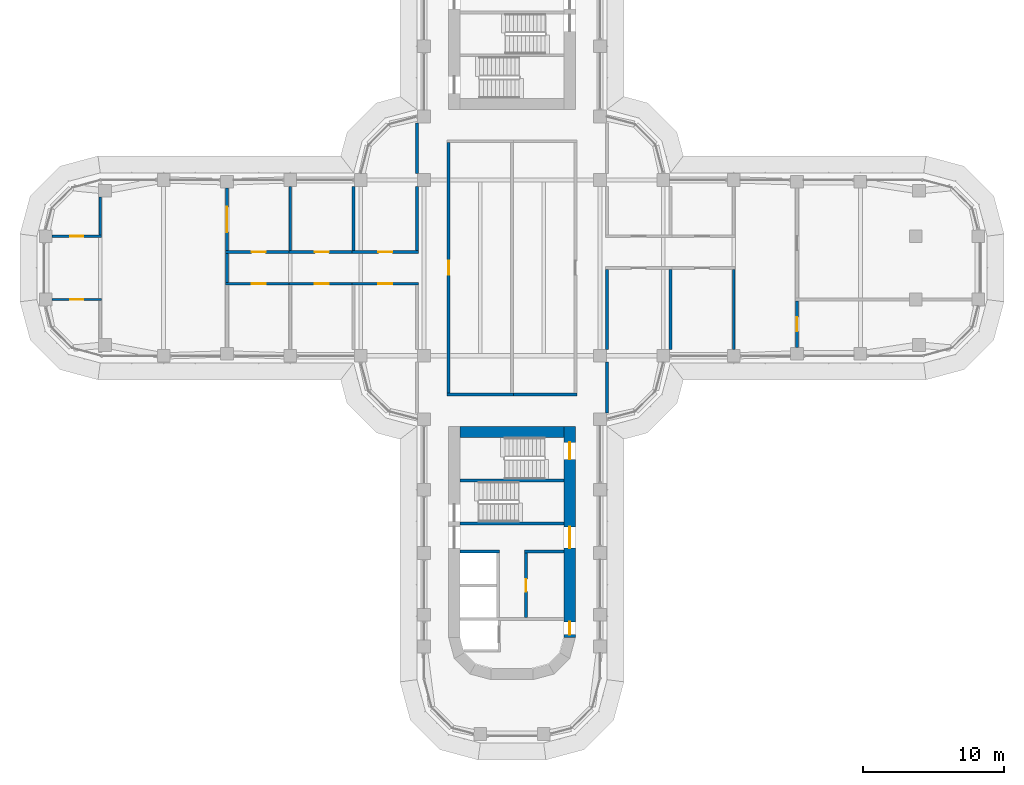
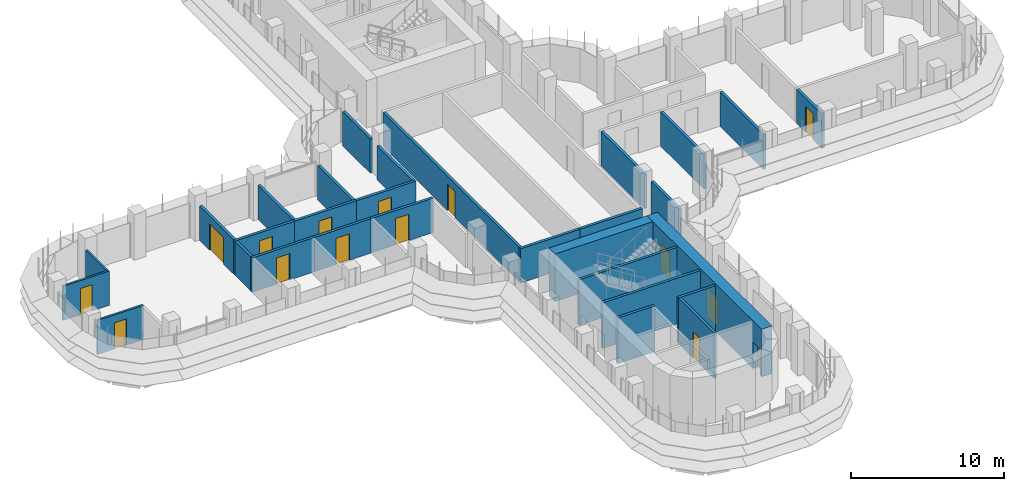
# One storey, part 17 of 23: 30 walls, 15 doors, 15 openings.
"""IFC4 building model written with IfcOpenShell, lengths in metres."""

from ifc_helpers import new_model, si_unit, direction, frame, frame_2d, origin, place, context, subcontext, project, spatial, rectangle, extrude, material, layer, layer_set, type_object, element, fill, save


model = new_model("IFC4")

# Units and contexts
model_context = context("Model", 3, precision=1e-05, world=origin(), true_north=direction((0.0, 1.0)))
body_context = subcontext(model_context, "Body", "Model", "MODEL_VIEW")
ifc_project = project(units=[si_unit("LENGTHUNIT", "METRE"), si_unit("AREAUNIT", "SQUARE_METRE"), si_unit("VOLUMEUNIT", "CUBIC_METRE"), si_unit("PLANEANGLEUNIT", "RADIAN"), si_unit("MASSUNIT", "GRAM", prefix="KILO")], contexts=[model_context])

# Site, building, storey
site_placement = place(None, origin())
site = spatial("IfcSite", under=ifc_project, at=site_placement, CompositionType="ELEMENT")
building_placement = place(site_placement, origin())
building = spatial("IfcBuilding", under=site, at=building_placement, Name="Zarbagh Exchange Tower", CompositionType="ELEMENT")
storey_placement = place(building_placement, frame((0.0, 0.0, 86.60009765625)))
storey = spatial("IfcBuildingStorey", under=building, at=storey_placement, Name="L19", CompositionType="ELEMENT", Elevation=86.60009765625)

# Wall, opening, door
ifc_material_1 = material(Name="Plasterboard partition")
ifc_layer_1 = layer(ifc_material_1, 0.14990234375)
ifc_layer_set_1 = layer_set([ifc_layer_1], Name="PARTITION 150")
wall_type_1 = type_object("IfcWallType", Name="PARTITION 150", PredefinedType="PARTITIONING", material=ifc_layer_set_1)
wall_1_placement = place(storey_placement, frame((-32.659912109375, 2.25, 0.0), z_axis=(0.0, 0.0, 1.0), x_axis=(1.0, 0.0, 0.0)))
wall_1 = element("IfcWall", 1, at=wall_1_placement, inside=storey, type_object=wall_type_1, Name="Partition W-641", PredefinedType="PARTITIONING", context=body_context, shape_type="SweptSolid", body=[
    extrude(rectangle(XDim=3.48486328125, YDim=0.14990234375, at=frame_2d((1.742431640625, 0.0))), origin(), (0.0, 0.0, 1.0), 2.738037109375),
])
opening_1_placement = place(wall_1_placement, frame((1.29248046875, 0.0, 0.0)))
opening_1 = element("IfcOpeningElement", 2, at=opening_1_placement, cuts=wall_1, Name="Opening D-609", PredefinedType="OPENING", context=body_context, shape_type="SweptSolid", body=[
    extrude(rectangle(XDim=0.89990234375, YDim=2.10009765625, at=frame_2d((0.449951171875, 1.050048828125))), frame((0.0, 0.0849609375, 0.0), z_axis=(0.0, -1.0, 0.0), x_axis=(1.0, 0.0, 0.0)), (0.0, 0.0, 1.0), 0.169921875),
])
ifc_material_2 = material(Name="Timber door leaf", Category="wood")
door_type_1 = type_object("IfcDoorType", Name="DOOR 900 X 2100", OperationType="NOTDEFINED", PredefinedType="DOOR", material=ifc_material_2)
door_1_placement = place(opening_1_placement, origin())
door_1 = element("IfcDoor", 3, at=door_1_placement, inside=storey, type_object=door_type_1, Name="Door D-609", OperationType="SINGLE_SWING_RIGHT", OverallHeight=2.10009765625, OverallWidth=0.89990234375, PredefinedType="DOOR", context=body_context, shape_type="SweptSolid", body=[
    extrude(rectangle(XDim=0.89990234375, YDim=2.10009765625, at=frame_2d((0.449951171875, 1.050048828125))), frame((0.0, 0.02490234375, 0.0), z_axis=(0.0, -1.0, 0.0), x_axis=(1.0, 0.0, 0.0)), (0.0, 0.0, 1.0), 0.050048828125),
])
fill(opening_1, door_1)

# Wall
wall_2_placement = place(storey_placement, frame((-29.25, 2.324951171875, 0.0), z_axis=(0.0, 0.0, 1.0), x_axis=(0.0, 1.0, 0.0)))
element("IfcWall", 4, at=wall_2_placement, inside=storey, type_object=wall_type_1, Name="Partition W-642", PredefinedType="PARTITIONING", context=body_context, shape_type="SweptSolid", body=[
    extrude(rectangle(XDim=2.699951171875, YDim=0.14990234375, at=frame_2d((1.35009765625, 0.0))), origin(), (0.0, 0.0, 1.0), 2.738037109375),
])

# Wall, opening, door
wall_3_placement = place(storey_placement, frame((-29.175048828125, -2.25, 0.0), z_axis=(0.0, 0.0, 1.0), x_axis=(-1.0, 0.0, 0.0)))
wall_3 = element("IfcWall", 5, at=wall_3_placement, inside=storey, type_object=wall_type_1, Name="Partition W-644", PredefinedType="PARTITIONING", context=body_context, shape_type="SweptSolid", body=[
    extrude(rectangle(XDim=3.48486328125, YDim=0.14990234375, at=frame_2d((1.742431640625, 0.0))), origin(), (0.0, 0.0, 1.0), 2.738037109375),
])
opening_2_placement = place(wall_3_placement, frame((1.29248046875, 0.0, 0.0)))
opening_2 = element("IfcOpeningElement", 6, at=opening_2_placement, cuts=wall_3, Name="Opening D-610", PredefinedType="OPENING", context=body_context, shape_type="SweptSolid", body=[
    extrude(rectangle(XDim=0.89990234375, YDim=2.10009765625, at=frame_2d((0.449951171875, 1.050048828125))), frame((0.0, 0.0849609375, 0.0), z_axis=(0.0, -1.0, 0.0), x_axis=(1.0, 0.0, 0.0)), (0.0, 0.0, 1.0), 0.169921875),
])
door_2_placement = place(opening_2_placement, origin())
door_2 = element("IfcDoor", 7, at=door_2_placement, inside=storey, type_object=door_type_1, Name="Door D-610", OperationType="SINGLE_SWING_LEFT", OverallHeight=2.10009765625, OverallWidth=0.89990234375, PredefinedType="DOOR", context=body_context, shape_type="SweptSolid", body=[
    extrude(rectangle(XDim=0.89990234375, YDim=2.10009765625, at=frame_2d((0.449951171875, 1.050048828125))), frame((0.0, 0.02490234375, 0.0), z_axis=(0.0, -1.0, 0.0), x_axis=(1.0, 0.0, 0.0)), (0.0, 0.0, 1.0), 0.050048828125),
])
fill(opening_2, door_2)

ifc_material_3 = material(Name="Fire-rated plasterboard partition")
ifc_layer_2 = layer(ifc_material_3, 0.199951171875)
ifc_layer_set_2 = layer_set([ifc_layer_2], Name="RATED PARTITION 200")
wall_type_2 = type_object("IfcWallType", Name="RATED PARTITION 200", PredefinedType="PARTITIONING", material=ifc_layer_set_2)
wall_4_placement = place(storey_placement, frame((-4.5, 8.89990234375, 0.0), z_axis=(0.0, 0.0, 1.0), x_axis=(0.0, -1.0, 0.0)))
wall_4 = element("IfcWall", 8, at=wall_4_placement, inside=storey, type_object=wall_type_2, Name="Partition W-601", PredefinedType="PARTITIONING", context=body_context, shape_type="SweptSolid", body=[
    extrude(rectangle(XDim=17.7998046875, YDim=0.199951171875, at=frame_2d((8.89990234375, 0.0))), origin(), (0.0, 0.0, 1.0), 2.738037109375),
])
opening_3_placement = place(wall_4_placement, frame((8.39990234375, 0.0, 0.0)))
opening_3 = element("IfcOpeningElement", 9, at=opening_3_placement, cuts=wall_4, Name="Opening D-602", PredefinedType="OPENING", context=body_context, shape_type="SweptSolid", body=[
    extrude(rectangle(XDim=1.0, YDim=2.10009765625, at=frame_2d((0.5, 1.050048828125))), frame((0.0, 0.10986328125, 0.0), z_axis=(0.0, -1.0, 0.0), x_axis=(1.0, 0.0, 0.0)), (0.0, 0.0, 1.0), 0.219970703125),
])
ifc_material_4 = material(Name="Steel door set", Category="steel")
door_type_2 = type_object("IfcDoorType", Name="FIRE DOOR 1000 X 2100 FD30S", OperationType="NOTDEFINED", PredefinedType="DOOR", material=ifc_material_4)
door_3_placement = place(opening_3_placement, origin())
door_3 = element("IfcDoor", 10, at=door_3_placement, inside=storey, type_object=door_type_2, Name="Door D-602", OperationType="SINGLE_SWING_RIGHT", OverallHeight=2.10009765625, OverallWidth=1.0, PredefinedType="DOOR", context=body_context, shape_type="SweptSolid", body=[
    extrude(rectangle(XDim=1.0, YDim=2.10009765625, at=frame_2d((0.5, 1.050048828125))), frame((0.0, 0.02490234375, 0.0), z_axis=(0.0, -1.0, 0.0), x_axis=(1.0, 0.0, 0.0)), (0.0, 0.0, 1.0), 0.050048828125),
])
fill(opening_3, door_3)

# Walls
wall_5_placement = place(storey_placement, frame((-6.75, 1.22509765625, 0.0), z_axis=(0.0, 0.0, 1.0), x_axis=(0.0, 1.0, 0.0)))
element("IfcWall", 11, at=wall_5_placement, inside=storey, type_object=wall_type_2, Name="Partition W-602", PredefinedType="PARTITIONING", context=body_context, shape_type="SweptSolid", body=[
    extrude(rectangle(XDim=4.574951171875, YDim=0.199951171875, at=frame_2d((2.28759765625, 0.0))), origin(), (0.0, 0.0, 1.0), 2.738037109375),
])
for number, where, z_axis, x_axis, name in (
    (12, (-6.75, 6.699951171875, 0.0), (0.0, 0.0, 1.0), (0.0, 1.0, 0.0), "Partition W-603"),
    (13, (6.75, -10.300048828125, 0.0), (0.0, 0.0, 1.0), (0.0, 1.0, 0.0), "Partition W-609"),
):
    element("IfcWall", number, at=place(storey_placement, frame(where, z_axis=z_axis, x_axis=x_axis)), inside=storey, type_object=wall_type_2, Name=name, PredefinedType="PARTITIONING", context=body_context, shape_type="SweptSolid", body=[
        extrude(rectangle(XDim=3.60009765625, YDim=0.199951171875, at=frame_2d((1.800048828125, 0.0))), origin(), (0.0, 0.0, 1.0), 2.738037109375),
    ])
wall_6_placement = place(storey_placement, frame((6.75, -5.800048828125, 0.0), z_axis=(0.0, 0.0, 1.0), x_axis=(0.0, 1.0, 0.0)))
element("IfcWall", 14, at=wall_6_placement, inside=storey, type_object=wall_type_2, Name="Partition W-610", PredefinedType="PARTITIONING", context=body_context, shape_type="SweptSolid", body=[
    extrude(rectangle(XDim=5.699951171875, YDim=0.199951171875, at=frame_2d((2.85009765625, 0.0))), origin(), (0.0, 0.0, 1.0), 2.738037109375),
])
for number, where, z_axis, x_axis, name in (
    (15, (-4.60009765625, -9.0, 0.0), (0.0, 0.0, 1.0), (1.0, 0.0, 0.0), "Partition W-613"),
    (16, (-0.10009765625, -9.0, 0.0), (0.0, 0.0, 1.0), (1.0, 0.0, 0.0), "Partition W-614"),
):
    element("IfcWall", number, at=place(storey_placement, frame(where, z_axis=z_axis, x_axis=x_axis)), inside=storey, type_object=wall_type_2, Name=name, PredefinedType="PARTITIONING", context=body_context, shape_type="SweptSolid", body=[
        extrude(rectangle(XDim=4.7001953125, YDim=0.199951171875, at=frame_2d((2.35009765625, 0.0))), origin(), (0.0, 0.0, 1.0), 2.738037109375),
    ])
for number, where, z_axis, x_axis, name in (
    (17, (11.25, -5.800048828125, 0.0), (0.0, 0.0, 1.0), (0.0, 1.0, 0.0), "Partition W-621"),
    (18, (15.75, -5.800048828125, 0.0), (0.0, 0.0, 1.0), (0.0, 1.0, 0.0), "Partition W-623"),
):
    element("IfcWall", number, at=place(storey_placement, frame(where, z_axis=z_axis, x_axis=x_axis)), inside=storey, type_object=wall_type_2, Name=name, PredefinedType="PARTITIONING", context=body_context, shape_type="SweptSolid", body=[
        extrude(rectangle(XDim=5.699951171875, YDim=0.199951171875, at=frame_2d((2.85009765625, 0.0))), origin(), (0.0, 0.0, 1.0), 2.738037109375),
    ])

# Wall, opening, door
wall_7_placement = place(storey_placement, frame((20.25, -2.35009765625, 0.0), z_axis=(0.0, 0.0, 1.0), x_axis=(0.0, -1.0, 0.0)))
wall_7 = element("IfcWall", 19, at=wall_7_placement, inside=storey, type_object=wall_type_2, Name="Partition W-624", PredefinedType="PARTITIONING", context=body_context, shape_type="SweptSolid", body=[
    extrude(rectangle(XDim=3.309814453125, YDim=0.199951171875, at=frame_2d((1.65478515625, 0.0))), origin(), (0.0, 0.0, 1.0), 2.738037109375),
])
opening_4_placement = place(wall_7_placement, frame((1.155029296875, 0.0, 0.0)))
opening_4 = element("IfcOpeningElement", 20, at=opening_4_placement, cuts=wall_7, Name="Opening D-607", PredefinedType="OPENING", context=body_context, shape_type="SweptSolid", body=[
    extrude(rectangle(XDim=1.0, YDim=2.10009765625, at=frame_2d((0.5, 1.050048828125))), frame((0.0, 0.10986328125, 0.0), z_axis=(0.0, -1.0, 0.0), x_axis=(1.0, 0.0, 0.0)), (0.0, 0.0, 1.0), 0.219970703125),
])
door_4_placement = place(opening_4_placement, origin())
door_4 = element("IfcDoor", 21, at=door_4_placement, inside=storey, type_object=door_type_2, Name="Door D-607", OperationType="SINGLE_SWING_LEFT", OverallHeight=2.10009765625, OverallWidth=1.0, PredefinedType="DOOR", context=body_context, shape_type="SweptSolid", body=[
    extrude(rectangle(XDim=1.0, YDim=2.10009765625, at=frame_2d((0.5, 1.050048828125))), frame((0.0, 0.02490234375, 0.0), z_axis=(0.0, -1.0, 0.0), x_axis=(1.0, 0.0, 0.0)), (0.0, 0.0, 1.0), 0.050048828125),
])
fill(opening_4, door_4)

wall_8_placement = place(storey_placement, frame((-11.35009765625, 1.125, 0.0), z_axis=(0.0, 0.0, 1.0), x_axis=(1.0, 0.0, 0.0)))
wall_8 = element("IfcWall", 22, at=wall_8_placement, inside=storey, type_object=wall_type_2, Name="Partition W-628", PredefinedType="PARTITIONING", context=body_context, shape_type="SweptSolid", body=[
    extrude(rectangle(XDim=4.7001953125, YDim=0.199951171875, at=frame_2d((2.35009765625, 0.0))), origin(), (0.0, 0.0, 1.0), 2.738037109375),
])
opening_5_placement = place(wall_8_placement, frame((1.85009765625, 0.0, 0.0)))
opening_5 = element("IfcOpeningElement", 23, at=opening_5_placement, cuts=wall_8, Name="Opening D-612", PredefinedType="OPENING", context=body_context, shape_type="SweptSolid", body=[
    extrude(rectangle(XDim=1.0, YDim=2.10009765625, at=frame_2d((0.5, 1.050048828125))), frame((0.0, 0.10986328125, 0.0), z_axis=(0.0, -1.0, 0.0), x_axis=(1.0, 0.0, 0.0)), (0.0, 0.0, 1.0), 0.219970703125),
])
door_5_placement = place(opening_5_placement, origin())
door_5 = element("IfcDoor", 24, at=door_5_placement, inside=storey, type_object=door_type_2, Name="Door D-612", OperationType="SINGLE_SWING_RIGHT", OverallHeight=2.10009765625, OverallWidth=1.0, PredefinedType="DOOR", context=body_context, shape_type="SweptSolid", body=[
    extrude(rectangle(XDim=1.0, YDim=2.10009765625, at=frame_2d((0.5, 1.050048828125))), frame((0.0, 0.02490234375, 0.0), z_axis=(0.0, -1.0, 0.0), x_axis=(1.0, 0.0, 0.0)), (0.0, 0.0, 1.0), 0.050048828125),
])
fill(opening_5, door_5)

wall_9_placement = place(storey_placement, frame((-6.64990234375, -1.125, 0.0), z_axis=(0.0, 0.0, 1.0), x_axis=(-1.0, 0.0, 0.0)))
wall_9 = element("IfcWall", 25, at=wall_9_placement, inside=storey, type_object=wall_type_2, Name="Partition W-629", PredefinedType="PARTITIONING", context=body_context, shape_type="SweptSolid", body=[
    extrude(rectangle(XDim=4.7001953125, YDim=0.199951171875, at=frame_2d((2.35009765625, 0.0))), origin(), (0.0, 0.0, 1.0), 2.738037109375),
])
opening_6_placement = place(wall_9_placement, frame((1.85009765625, 0.0, 0.0)))
opening_6 = element("IfcOpeningElement", 26, at=opening_6_placement, cuts=wall_9, Name="Opening D-615", PredefinedType="OPENING", context=body_context, shape_type="SweptSolid", body=[
    extrude(rectangle(XDim=1.0, YDim=2.10009765625, at=frame_2d((0.5, 1.050048828125))), frame((0.0, 0.10986328125, 0.0), z_axis=(0.0, -1.0, 0.0), x_axis=(1.0, 0.0, 0.0)), (0.0, 0.0, 1.0), 0.219970703125),
])
door_6_placement = place(opening_6_placement, origin())
door_6 = element("IfcDoor", 27, at=door_6_placement, inside=storey, type_object=door_type_2, Name="Door D-615", OperationType="SINGLE_SWING_RIGHT", OverallHeight=2.10009765625, OverallWidth=1.0, PredefinedType="DOOR", context=body_context, shape_type="SweptSolid", body=[
    extrude(rectangle(XDim=1.0, YDim=2.10009765625, at=frame_2d((0.5, 1.050048828125))), frame((0.0, 0.02490234375, 0.0), z_axis=(0.0, -1.0, 0.0), x_axis=(1.0, 0.0, 0.0)), (0.0, 0.0, 1.0), 0.050048828125),
])
fill(opening_6, door_6)

wall_10_placement = place(storey_placement, frame((-15.85009765625, 1.125, 0.0), z_axis=(0.0, 0.0, 1.0), x_axis=(1.0, 0.0, 0.0)))
wall_10 = element("IfcWall", 28, at=wall_10_placement, inside=storey, type_object=wall_type_2, Name="Partition W-630", PredefinedType="PARTITIONING", context=body_context, shape_type="SweptSolid", body=[
    extrude(rectangle(XDim=4.7001953125, YDim=0.199951171875, at=frame_2d((2.35009765625, 0.0))), origin(), (0.0, 0.0, 1.0), 2.738037109375),
])
opening_7_placement = place(wall_10_placement, frame((1.85009765625, 0.0, 0.0)))
opening_7 = element("IfcOpeningElement", 29, at=opening_7_placement, cuts=wall_10, Name="Opening D-613", PredefinedType="OPENING", context=body_context, shape_type="SweptSolid", body=[
    extrude(rectangle(XDim=1.0, YDim=2.10009765625, at=frame_2d((0.5, 1.050048828125))), frame((0.0, 0.10986328125, 0.0), z_axis=(0.0, -1.0, 0.0), x_axis=(1.0, 0.0, 0.0)), (0.0, 0.0, 1.0), 0.219970703125),
])
door_7_placement = place(opening_7_placement, origin())
door_7 = element("IfcDoor", 30, at=door_7_placement, inside=storey, type_object=door_type_2, Name="Door D-613", OperationType="SINGLE_SWING_RIGHT", OverallHeight=2.10009765625, OverallWidth=1.0, PredefinedType="DOOR", context=body_context, shape_type="SweptSolid", body=[
    extrude(rectangle(XDim=1.0, YDim=2.10009765625, at=frame_2d((0.5, 1.050048828125))), frame((0.0, 0.02490234375, 0.0), z_axis=(0.0, -1.0, 0.0), x_axis=(1.0, 0.0, 0.0)), (0.0, 0.0, 1.0), 0.050048828125),
])
fill(opening_7, door_7)

wall_11_placement = place(storey_placement, frame((-20.35009765625, 1.125, 0.0), z_axis=(0.0, 0.0, 1.0), x_axis=(1.0, 0.0, 0.0)))
wall_11 = element("IfcWall", 31, at=wall_11_placement, inside=storey, type_object=wall_type_2, Name="Partition W-631", PredefinedType="PARTITIONING", context=body_context, shape_type="SweptSolid", body=[
    extrude(rectangle(XDim=4.7001953125, YDim=0.199951171875, at=frame_2d((2.35009765625, 0.0))), origin(), (0.0, 0.0, 1.0), 2.738037109375),
])
opening_8_placement = place(wall_11_placement, frame((1.85009765625, 0.0, 0.0)))
opening_8 = element("IfcOpeningElement", 32, at=opening_8_placement, cuts=wall_11, Name="Opening D-614", PredefinedType="OPENING", context=body_context, shape_type="SweptSolid", body=[
    extrude(rectangle(XDim=1.0, YDim=2.10009765625, at=frame_2d((0.5, 1.050048828125))), frame((0.0, 0.10986328125, 0.0), z_axis=(0.0, -1.0, 0.0), x_axis=(1.0, 0.0, 0.0)), (0.0, 0.0, 1.0), 0.219970703125),
])
door_8_placement = place(opening_8_placement, origin())
door_8 = element("IfcDoor", 33, at=door_8_placement, inside=storey, type_object=door_type_2, Name="Door D-614", OperationType="SINGLE_SWING_RIGHT", OverallHeight=2.10009765625, OverallWidth=1.0, PredefinedType="DOOR", context=body_context, shape_type="SweptSolid", body=[
    extrude(rectangle(XDim=1.0, YDim=2.10009765625, at=frame_2d((0.5, 1.050048828125))), frame((0.0, 0.02490234375, 0.0), z_axis=(0.0, -1.0, 0.0), x_axis=(1.0, 0.0, 0.0)), (0.0, 0.0, 1.0), 0.050048828125),
])
fill(opening_8, door_8)

wall_12_placement = place(storey_placement, frame((-11.14990234375, -1.125, 0.0), z_axis=(0.0, 0.0, 1.0), x_axis=(-1.0, 0.0, 0.0)))
wall_12 = element("IfcWall", 34, at=wall_12_placement, inside=storey, type_object=wall_type_2, Name="Partition W-632", PredefinedType="PARTITIONING", context=body_context, shape_type="SweptSolid", body=[
    extrude(rectangle(XDim=4.7001953125, YDim=0.199951171875, at=frame_2d((2.35009765625, 0.0))), origin(), (0.0, 0.0, 1.0), 2.738037109375),
])
opening_9_placement = place(wall_12_placement, frame((1.85009765625, 0.0, 0.0)))
opening_9 = element("IfcOpeningElement", 35, at=opening_9_placement, cuts=wall_12, Name="Opening D-616", PredefinedType="OPENING", context=body_context, shape_type="SweptSolid", body=[
    extrude(rectangle(XDim=1.0, YDim=2.10009765625, at=frame_2d((0.5, 1.050048828125))), frame((0.0, 0.10986328125, 0.0), z_axis=(0.0, -1.0, 0.0), x_axis=(1.0, 0.0, 0.0)), (0.0, 0.0, 1.0), 0.219970703125),
])
door_9_placement = place(opening_9_placement, origin())
door_9 = element("IfcDoor", 36, at=door_9_placement, inside=storey, type_object=door_type_2, Name="Door D-616", OperationType="SINGLE_SWING_RIGHT", OverallHeight=2.10009765625, OverallWidth=1.0, PredefinedType="DOOR", context=body_context, shape_type="SweptSolid", body=[
    extrude(rectangle(XDim=1.0, YDim=2.10009765625, at=frame_2d((0.5, 1.050048828125))), frame((0.0, 0.02490234375, 0.0), z_axis=(0.0, -1.0, 0.0), x_axis=(1.0, 0.0, 0.0)), (0.0, 0.0, 1.0), 0.050048828125),
])
fill(opening_9, door_9)

wall_13_placement = place(storey_placement, frame((-15.64990234375, -1.125, 0.0), z_axis=(0.0, 0.0, 1.0), x_axis=(-1.0, 0.0, 0.0)))
wall_13 = element("IfcWall", 37, at=wall_13_placement, inside=storey, type_object=wall_type_2, Name="Partition W-633", PredefinedType="PARTITIONING", context=body_context, shape_type="SweptSolid", body=[
    extrude(rectangle(XDim=4.7001953125, YDim=0.199951171875, at=frame_2d((2.35009765625, 0.0))), origin(), (0.0, 0.0, 1.0), 2.738037109375),
])
opening_10_placement = place(wall_13_placement, frame((1.85009765625, 0.0, 0.0)))
opening_10 = element("IfcOpeningElement", 38, at=opening_10_placement, cuts=wall_13, Name="Opening D-617", PredefinedType="OPENING", context=body_context, shape_type="SweptSolid", body=[
    extrude(rectangle(XDim=1.0, YDim=2.10009765625, at=frame_2d((0.5, 1.050048828125))), frame((0.0, 0.10986328125, 0.0), z_axis=(0.0, -1.0, 0.0), x_axis=(1.0, 0.0, 0.0)), (0.0, 0.0, 1.0), 0.219970703125),
])
door_10_placement = place(opening_10_placement, origin())
door_10 = element("IfcDoor", 39, at=door_10_placement, inside=storey, type_object=door_type_2, Name="Door D-617", OperationType="SINGLE_SWING_LEFT", OverallHeight=2.10009765625, OverallWidth=1.0, PredefinedType="DOOR", context=body_context, shape_type="SweptSolid", body=[
    extrude(rectangle(XDim=1.0, YDim=2.10009765625, at=frame_2d((0.5, 1.050048828125))), frame((0.0, 0.02490234375, 0.0), z_axis=(0.0, -1.0, 0.0), x_axis=(1.0, 0.0, 0.0)), (0.0, 0.0, 1.0), 0.050048828125),
])
fill(opening_10, door_10)

# Walls
wall_14_placement = place(storey_placement, frame((-20.25, -1.02490234375, 0.0), z_axis=(0.0, 0.0, 1.0), x_axis=(0.0, 1.0, 0.0)))
element("IfcWall", 40, at=wall_14_placement, inside=storey, type_object=wall_type_2, Name="Partition W-634", PredefinedType="PARTITIONING", context=body_context, shape_type="SweptSolid", body=[
    extrude(rectangle(XDim=2.0498046875, YDim=0.199951171875, at=frame_2d((1.02490234375, 0.0))), origin(), (0.0, 0.0, 1.0), 2.738037109375),
])
for number, where, z_axis, x_axis, name in (
    (41, (-11.25, 1.22509765625, 0.0), (0.0, 0.0, 1.0), (0.0, 1.0, 0.0), "Partition W-635"),
    (42, (-15.75, 1.22509765625, 0.0), (0.0, 0.0, 1.0), (0.0, 1.0, 0.0), "Partition W-637"),
):
    element("IfcWall", number, at=place(storey_placement, frame(where, z_axis=z_axis, x_axis=x_axis)), inside=storey, type_object=wall_type_2, Name=name, PredefinedType="PARTITIONING", context=body_context, shape_type="SweptSolid", body=[
        extrude(rectangle(XDim=4.574951171875, YDim=0.199951171875, at=frame_2d((2.28759765625, 0.0))), origin(), (0.0, 0.0, 1.0), 2.738037109375),
    ])

# Wall, opening, door
wall_15_placement = place(storey_placement, frame((-20.25, 1.22509765625, 0.0), z_axis=(0.0, 0.0, 1.0), x_axis=(0.0, 1.0, 0.0)))
wall_15 = element("IfcWall", 43, at=wall_15_placement, inside=storey, type_object=wall_type_2, Name="Partition W-638", PredefinedType="PARTITIONING", context=body_context, shape_type="SweptSolid", body=[
    extrude(rectangle(XDim=4.434814453125, YDim=0.199951171875, at=frame_2d((2.21728515625, 0.0))), origin(), (0.0, 0.0, 1.0), 2.738037109375),
])
opening_11_placement = place(wall_15_placement, frame((1.3173828125, 0.0, 0.0)))
opening_11 = element("IfcOpeningElement", 44, at=opening_11_placement, cuts=wall_15, Name="Opening D-611", PredefinedType="OPENING", context=body_context, shape_type="SweptSolid", body=[
    extrude(rectangle(XDim=1.800048828125, YDim=2.10009765625, at=frame_2d((0.89990234375, 1.050048828125))), frame((0.0, 0.10986328125, 0.0), z_axis=(0.0, -1.0, 0.0), x_axis=(1.0, 0.0, 0.0)), (0.0, 0.0, 1.0), 0.219970703125),
])
door_type_3 = type_object("IfcDoorType", Name="FIRE DOUBLE DOOR 1800 X 2100 FD30S", OperationType="DOUBLE_DOOR_SINGLE_SWING", PredefinedType="DOOR", material=ifc_material_4)
door_11_placement = place(opening_11_placement, origin())
door_11 = element("IfcDoor", 45, at=door_11_placement, inside=storey, type_object=door_type_3, Name="Door D-611", OperationType="DOUBLE_DOOR_SINGLE_SWING", OverallHeight=2.10009765625, OverallWidth=1.800048828125, PredefinedType="DOOR", context=body_context, shape_type="SweptSolid", body=[
    extrude(rectangle(XDim=1.800048828125, YDim=2.10009765625, at=frame_2d((0.89990234375, 1.050048828125))), frame((0.0, 0.02490234375, 0.0), z_axis=(0.0, -1.0, 0.0), x_axis=(1.0, 0.0, 0.0)), (0.0, 0.0, 1.0), 0.050048828125),
])
fill(opening_11, door_11)

# Wall, openings, doors
ifc_material_5 = material(Name="Concrete C60/75", Category="concrete")
ifc_layer_3 = layer(ifc_material_5, 0.800048828125)
ifc_layer_set_3 = layer_set([ifc_layer_3], Name="RC core wall 800 C60/75")
wall_type_3 = type_object("IfcWallType", Name="RC core wall 800 C60/75", PredefinedType="SHEAR", material=ifc_layer_set_3)
wall_16_placement = place(storey_placement, frame((4.10009765625, -11.25, 0.0), z_axis=(0.0, 0.0, 1.0), x_axis=(0.0, -1.0, 0.0)))
wall_16 = element("IfcWall", 46, at=wall_16_placement, inside=storey, type_object=wall_type_3, Name="CW3 core S E", PredefinedType="SHEAR", context=body_context, shape_type="SweptSolid", body=[
    extrude(rectangle(XDim=15.0, YDim=0.800048828125, at=frame_2d((7.5, 0.0))), origin(), (0.0, 0.0, 1.0), 3.7998046875),
])
opening_12_placement = place(wall_16_placement, frame((7.14990234375, 0.0, 0.0)))
opening_12 = element("IfcOpeningElement", 47, at=opening_12_placement, cuts=wall_16, Name="Opening CD1-1500", PredefinedType="OPENING", context=body_context, shape_type="SweptSolid", body=[
    extrude(rectangle(XDim=1.5, YDim=2.300048828125, at=frame_2d((0.75, 1.14990234375))), frame((0.0, 0.409912109375, 0.0), z_axis=(0.0, -1.0, 0.0), x_axis=(1.0, 0.0, 0.0)), (0.0, 0.0, 1.0), 0.820068359375),
])
opening_13_placement = place(wall_16_placement, frame((13.89990234375, 0.0, 0.0)))
opening_13 = element("IfcOpeningElement", 48, at=opening_13_placement, cuts=wall_16, Name="Opening CD2-900", PredefinedType="OPENING", context=body_context, shape_type="SweptSolid", body=[
    extrude(rectangle(XDim=0.89990234375, YDim=2.10009765625, at=frame_2d((0.449951171875, 1.050048828125))), frame((0.0, 0.409912109375, 0.0), z_axis=(0.0, -1.0, 0.0), x_axis=(1.0, 0.0, 0.0)), (0.0, 0.0, 1.0), 0.820068359375),
])
opening_14_placement = place(wall_16_placement, frame((1.14990234375, 0.0, 0.0)))
opening_14 = element("IfcOpeningElement", 49, at=opening_14_placement, cuts=wall_16, Name="Opening SD1-1200", PredefinedType="OPENING", context=body_context, shape_type="SweptSolid", body=[
    extrude(rectangle(XDim=1.199951171875, YDim=2.10009765625, at=frame_2d((0.60009765625, 1.050048828125))), frame((0.0, 0.409912109375, 0.0), z_axis=(0.0, -1.0, 0.0), x_axis=(1.0, 0.0, 0.0)), (0.0, 0.0, 1.0), 0.820068359375),
])
ifc_material_6 = material(Name="Steel", Category="steel")
door_type_4 = type_object("IfcDoorType", Name="Exit stair door 1200 x 2100", OperationType="NOTDEFINED", PredefinedType="DOOR", material=ifc_material_6)
door_12_placement = place(opening_14_placement, origin())
door_12 = element("IfcDoor", 50, at=door_12_placement, inside=storey, type_object=door_type_4, Name="South core stair door ST2", OperationType="SINGLE_SWING_LEFT", OverallHeight=2.10009765625, OverallWidth=1.199951171875, PredefinedType="DOOR", context=body_context, shape_type="SweptSolid", body=[
    extrude(rectangle(XDim=1.199951171875, YDim=2.10009765625, at=frame_2d((0.60009765625, 1.050048828125))), frame((0.0, 0.02490234375, 0.0), z_axis=(0.0, -1.0, 0.0), x_axis=(1.0, 0.0, 0.0)), (0.0, 0.0, 1.0), 0.050048828125),
])
fill(opening_14, door_12)
door_type_5 = type_object("IfcDoorType", Name="Firefighting lobby door 900 x 2100", OperationType="NOTDEFINED", PredefinedType="DOOR", material=ifc_material_6)
door_13_placement = place(opening_13_placement, origin())
door_13 = element("IfcDoor", 51, at=door_13_placement, inside=storey, type_object=door_type_5, Name="South core firefighting lobby door FF-W", OperationType="SINGLE_SWING_LEFT", OverallHeight=2.10009765625, OverallWidth=0.89990234375, PredefinedType="DOOR", context=body_context, shape_type="SweptSolid", body=[
    extrude(rectangle(XDim=0.89990234375, YDim=2.10009765625, at=frame_2d((0.449951171875, 1.050048828125))), frame((0.0, 0.02490234375, 0.0), z_axis=(0.0, -1.0, 0.0), x_axis=(1.0, 0.0, 0.0)), (0.0, 0.0, 1.0), 0.050048828125),
])
fill(opening_13, door_13)
door_type_6 = type_object("IfcDoorType", Name="Lift lobby double door 1500 x 2300", OperationType="NOTDEFINED", PredefinedType="DOOR", material=ifc_material_6)
door_14_placement = place(opening_12_placement, origin())
door_14 = element("IfcDoor", 52, at=door_14_placement, inside=storey, type_object=door_type_6, Name="South core lift lobby door LOBBY-W", OperationType="DOUBLE_DOOR_SINGLE_SWING", OverallHeight=2.300048828125, OverallWidth=1.5, PredefinedType="DOOR", context=body_context, shape_type="SweptSolid", body=[
    extrude(rectangle(XDim=1.5, YDim=2.300048828125, at=frame_2d((0.75, 1.14990234375))), frame((0.0, 0.02490234375, 0.0), z_axis=(0.0, -1.0, 0.0), x_axis=(1.0, 0.0, 0.0)), (0.0, 0.0, 1.0), 0.050048828125),
])
fill(opening_12, door_14)

# Walls
wall_17_placement = place(storey_placement, frame((-3.699951171875, -11.64990234375, 0.0), z_axis=(0.0, 0.0, 1.0), x_axis=(1.0, 0.0, 0.0)))
element("IfcWall", 53, at=wall_17_placement, inside=storey, type_object=wall_type_3, Name="CW3 core S inner end", PredefinedType="SHEAR", context=body_context, shape_type="SweptSolid", body=[
    extrude(rectangle(XDim=7.39990234375, YDim=0.800048828125, at=frame_2d((3.699951171875, 0.0))), origin(), (0.0, 0.0, 1.0), 3.7998046875),
])
ifc_material_7 = material(Name="Dense blockwork", Category="masonry")
ifc_layer_4 = layer(ifc_material_7, 0.199951171875)
ifc_layer_set_4 = layer_set([ifc_layer_4], Name="Shaft wall 200 mm blockwork")
wall_type_4 = type_object("IfcWallType", Name="Shaft wall 200 mm blockwork", PredefinedType="PARTITIONING", material=ifc_layer_set_4)
wall_18_placement = place(storey_placement, frame((3.699951171875, -20.14990234375, 0.0), z_axis=(0.0, 0.0, 1.0), x_axis=(-1.0, 0.0, 0.0)))
element("IfcWall", 54, at=wall_18_placement, inside=storey, type_object=wall_type_4, Name="South core shaft wall AB-W", PredefinedType="PARTITIONING", context=body_context, shape_type="SweptSolid", body=[
    extrude(rectangle(XDim=2.800048828125, YDim=0.199951171875, at=frame_2d((1.39990234375, 0.0))), origin(), (0.0, 0.0, 1.0), 3.64990234375),
])

# Wall, opening, door
wall_19_placement = place(storey_placement, frame((1.0, -24.85009765625, 0.0), z_axis=(0.0, 0.0, 1.0), x_axis=(0.0, 1.0, 0.0)))
wall_19 = element("IfcWall", 55, at=wall_19_placement, inside=storey, type_object=wall_type_4, Name="South core shaft wall LW-W", PredefinedType="PARTITIONING", context=body_context, shape_type="SweptSolid", body=[
    extrude(rectangle(XDim=4.60009765625, YDim=0.199951171875, at=frame_2d((2.300048828125, 0.0))), origin(), (0.0, 0.0, 1.0), 3.64990234375),
])
opening_15_placement = place(wall_19_placement, frame((1.85009765625, 0.0, 0.0)))
opening_15 = element("IfcOpeningElement", 56, at=opening_15_placement, cuts=wall_19, Name="Opening CD3-900", PredefinedType="OPENING", context=body_context, shape_type="SweptSolid", body=[
    extrude(rectangle(XDim=0.89990234375, YDim=2.10009765625, at=frame_2d((0.449951171875, 1.050048828125))), frame((0.0, 0.10986328125, 0.0), z_axis=(0.0, -1.0, 0.0), x_axis=(1.0, 0.0, 0.0)), (0.0, 0.0, 1.0), 0.219970703125),
])
door_type_7 = type_object("IfcDoorType", Name="Core room door 900 x 2100", OperationType="NOTDEFINED", PredefinedType="DOOR", material=ifc_material_6)
door_15_placement = place(opening_15_placement, origin())
door_15 = element("IfcDoor", 57, at=door_15_placement, inside=storey, type_object=door_type_7, Name="South core Accessible WC door RD-W-0", OperationType="SINGLE_SWING_LEFT", OverallHeight=2.10009765625, OverallWidth=0.89990234375, PredefinedType="DOOR", context=body_context, shape_type="SweptSolid", body=[
    extrude(rectangle(XDim=0.89990234375, YDim=2.10009765625, at=frame_2d((0.449951171875, 1.050048828125))), frame((0.0, 0.02490234375, 0.0), z_axis=(0.0, -1.0, 0.0), x_axis=(1.0, 0.0, 0.0)), (0.0, 0.0, 1.0), 0.050048828125),
])
fill(opening_15, door_15)

# Walls
wall_20_placement = place(storey_placement, frame((-0.89990234375, -20.14990234375, 0.0), z_axis=(0.0, 0.0, 1.0), x_axis=(-1.0, 0.0, 0.0)))
element("IfcWall", 58, at=wall_20_placement, inside=storey, type_object=wall_type_4, Name="South core shaft wall AB-E", PredefinedType="PARTITIONING", context=body_context, shape_type="SweptSolid", body=[
    extrude(rectangle(XDim=2.800048828125, YDim=0.199951171875, at=frame_2d((1.39990234375, 0.0))), origin(), (0.0, 0.0, 1.0), 3.64990234375),
])
ifc_material_8 = material(Name="Concrete C40/50", Category="concrete")
ifc_layer_5 = layer(ifc_material_8, 0.199951171875)
ifc_layer_set_5 = layer_set([ifc_layer_5], Name="Stair enclosure wall 200 mm RC C40/50")
wall_type_5 = type_object("IfcWallType", Name="Stair enclosure wall 200 mm RC C40/50", PredefinedType="SHEAR", material=ifc_layer_set_5)
for number, where, z_axis, x_axis, name in (
    (59, (3.699951171875, -18.14990234375, 0.0), (0.0, 0.0, 1.0), (-1.0, 0.0, 0.0), "South core stair wall BS"),
    (60, (3.699951171875, -15.10009765625, 0.0), (0.0, 0.0, 1.0), (-1.0, 0.0, 0.0), "South core stair wall ST12"),
):
    element("IfcWall", number, at=place(storey_placement, frame(where, z_axis=z_axis, x_axis=x_axis)), inside=storey, type_object=wall_type_5, Name=name, PredefinedType="SHEAR", context=body_context, shape_type="SweptSolid", body=[
        extrude(rectangle(XDim=7.39990234375, YDim=0.199951171875, at=frame_2d((3.699951171875, 0.0))), origin(), (0.0, 0.0, 1.0), 3.64990234375),
    ])

save(model, "model.ifc")
